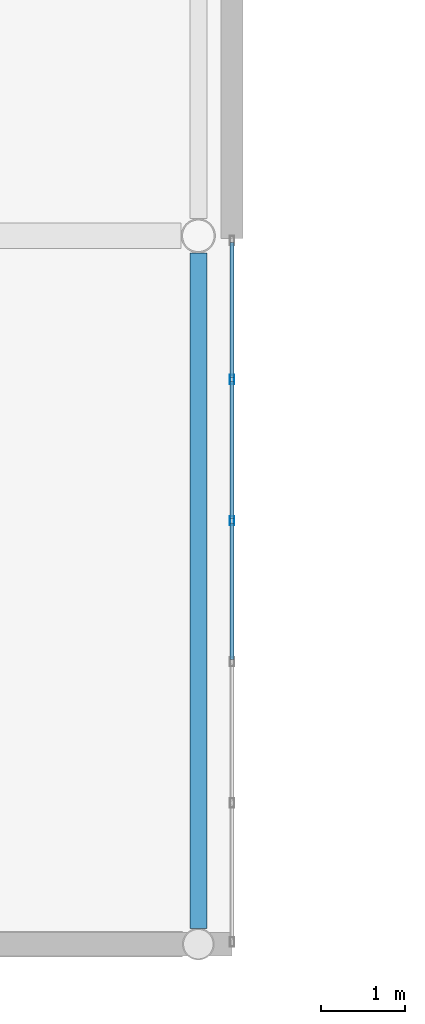
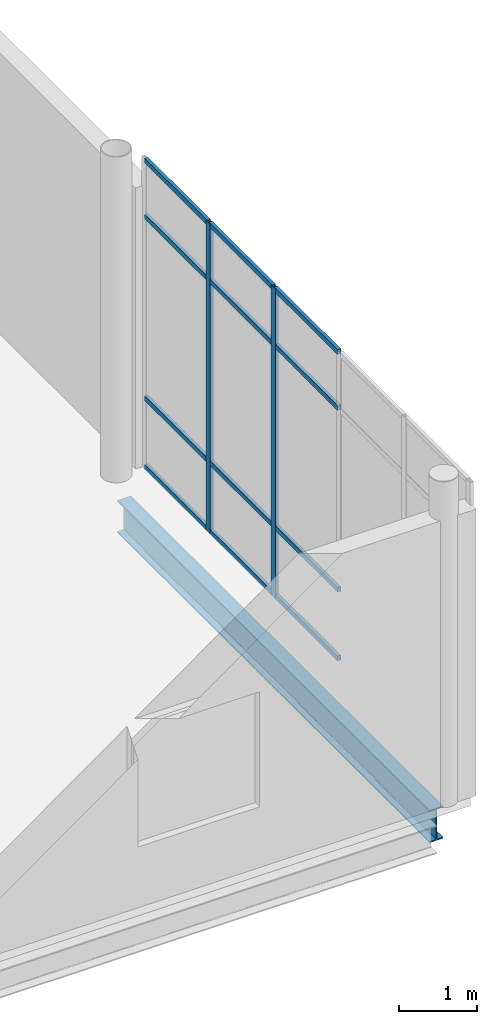
# One storey, part 41 of 104: 14 members, 1 beam, 1 element without a shape of its own.
"""IFC4 building model written with IfcOpenShell, lengths in metres."""

from ifc_helpers import new_model, si_unit, direction, frame, origin, origin_2d, place, context, subcontext, project, spatial, hollow_rectangle, i_section, extrude, material, layer, layer_set, material_profile, profile_set, type_object, element, aggregate, save


model = new_model("IFC4")

# Units and contexts
model_context = context("Model", 3, precision=1e-05, world=origin(), true_north=direction((0.0, 1.0)))
body_context = subcontext(model_context, "Body", "Model", "MODEL_VIEW")
ifc_project = project(units=[si_unit("LENGTHUNIT", "METRE"), si_unit("AREAUNIT", "SQUARE_METRE"), si_unit("VOLUMEUNIT", "CUBIC_METRE"), si_unit("PLANEANGLEUNIT", "RADIAN"), si_unit("MASSUNIT", "GRAM", prefix="KILO"), si_unit("THERMODYNAMICTEMPERATUREUNIT", "KELVIN")], contexts=[model_context])

# Site, building, storey
site_placement = place(None, origin())
site = spatial("IfcSite", under=ifc_project, at=site_placement, CompositionType="ELEMENT")
building_placement = place(site_placement, origin())
building = spatial("IfcBuilding", under=site, at=building_placement, Name="Lustrewick Department Store", CompositionType="ELEMENT")
storey_placement = place(building_placement, frame((0.0, 0.0, 11.39990234375)))
storey = spatial("IfcBuildingStorey", under=building, at=storey_placement, Name="L03", CompositionType="ELEMENT", Elevation=11.39990234375)

# Curtain wall, members
ifc_material_1 = material(Name="Thermally broken aluminium 6063-T5", Category="aluminium")
ifc_layer = layer(ifc_material_1, 0.110107421875, Name="Thermally broken aluminium 6063-T5")
ifc_layer_set = layer_set([ifc_layer], Name="Thermally broken aluminium 6063-T5")
curtain_wall_type = type_object("IfcCurtainWallType", Name="CW09", PredefinedType="NOTDEFINED", material=ifc_layer_set)
curtain_wall_placement = place(storey_placement, origin())
curtain_wall = element("IfcCurtainWall", 1, at=curtain_wall_placement, inside=storey, type_object=curtain_wall_type, Name="L03 V3 Curtain Wall CW09", PredefinedType="NOTDEFINED")
ifc_material_profile_1 = material_profile(ifc_material_1, hollow_rectangle(XDim=0.050048828125, YDim=0.110107421875, WallThickness=0.0029296875, at=origin_2d()), Name="ALU-M 50x110x3")
ifc_profile_set_1 = profile_set([ifc_material_profile_1], Name="Thermally broken aluminium 6063-T5")
member_type_1 = type_object("IfcMemberType", Name="CW09-M1", PredefinedType="MULLION", material=ifc_profile_set_1)
member_1_placement = place(storey_placement, frame((151.199951171875, 13.422119140625, 0.0), z_axis=(0.0, 0.0, 1.0), x_axis=(-1.0, 0.0, 0.0)))
member_1 = element("IfcMember", 2, at=member_1_placement, type_object=member_type_1, Name="CW09 mullion 4", PredefinedType="MULLION", context=body_context, shape_type="SweptSolid", body=[
    extrude(hollow_rectangle(XDim=0.050048828125, YDim=0.110107421875, WallThickness=0.0029296875, at=origin_2d()), origin(), (0.0, 0.0, 1.0), 4.84521484375),
])
member_2_placement = place(storey_placement, frame((151.199951171875, 15.095947265625, 0.0), z_axis=(0.0, 0.0, 1.0), x_axis=(-1.0, 0.0, 0.0)))
member_2 = element("IfcMember", 3, at=member_2_placement, type_object=member_type_1, Name="CW09 mullion 5", PredefinedType="MULLION", context=body_context, shape_type="SweptSolid", body=[
    extrude(hollow_rectangle(XDim=0.050048828125, YDim=0.110107421875, WallThickness=0.0029296875, at=origin_2d()), origin(), (0.0, 0.0, 1.0), 4.84521484375),
])
ifc_material_profile_2 = material_profile(ifc_material_1, hollow_rectangle(XDim=0.050048828125, YDim=0.074951171875, WallThickness=0.0029296875, at=origin_2d()), Name="ALU-T 50x75x3")
ifc_profile_set_2 = profile_set([ifc_material_profile_2], Name="Thermally broken aluminium 6063-T5")
member_type_2 = type_object("IfcMemberType", Name="CW09-T1", PredefinedType="USERDEFINED", material=ifc_profile_set_2)
member_3_placement = place(storey_placement, frame((151.199951171875, 11.77294921875, 0.025146484375), z_axis=(0.0, 1.0, 0.0), x_axis=(-1.0, 0.0, 0.0)))
member_3 = element("IfcMember", 4, at=member_3_placement, type_object=member_type_2, Name="CW09 transom 3.1", ObjectType="TRANSOM", PredefinedType="USERDEFINED", context=body_context, shape_type="SweptSolid", body=[
    extrude(hollow_rectangle(XDim=0.050048828125, YDim=0.074951171875, WallThickness=0.0029296875, at=origin_2d()), origin(), (0.0, 0.0, 1.0), 1.6240234375),
])
member_4_placement = place(storey_placement, frame((151.199951171875, 11.77294921875, 1.10009765625), z_axis=(0.0, 1.0, 0.0), x_axis=(-1.0, 0.0, 0.0)))
member_4 = element("IfcMember", 5, at=member_4_placement, type_object=member_type_2, Name="CW09 transom 3.2", ObjectType="TRANSOM", PredefinedType="USERDEFINED", context=body_context, shape_type="SweptSolid", body=[
    extrude(hollow_rectangle(XDim=0.050048828125, YDim=0.074951171875, WallThickness=0.0029296875, at=origin_2d()), origin(), (0.0, 0.0, 1.0), 1.6240234375),
])
member_5_placement = place(storey_placement, frame((151.199951171875, 11.77294921875, 3.945068359375), z_axis=(0.0, 1.0, 0.0), x_axis=(-1.0, 0.0, 0.0)))
member_5 = element("IfcMember", 6, at=member_5_placement, type_object=member_type_2, Name="CW09 transom 3.3", ObjectType="TRANSOM", PredefinedType="USERDEFINED", context=body_context, shape_type="SweptSolid", body=[
    extrude(hollow_rectangle(XDim=0.050048828125, YDim=0.074951171875, WallThickness=0.0029296875, at=origin_2d()), origin(), (0.0, 0.0, 1.0), 1.6240234375),
])
member_6_placement = place(storey_placement, frame((151.199951171875, 11.77294921875, 4.820068359375), z_axis=(0.0, 1.0, 0.0), x_axis=(-1.0, 0.0, 0.0)))
member_6 = element("IfcMember", 7, at=member_6_placement, type_object=member_type_2, Name="CW09 transom 3.4", ObjectType="TRANSOM", PredefinedType="USERDEFINED", context=body_context, shape_type="SweptSolid", body=[
    extrude(hollow_rectangle(XDim=0.050048828125, YDim=0.074951171875, WallThickness=0.0029296875, at=origin_2d()), origin(), (0.0, 0.0, 1.0), 1.6240234375),
])
member_7_placement = place(storey_placement, frame((151.199951171875, 13.447021484375, 0.025146484375), z_axis=(0.0, 1.0, 0.0), x_axis=(-1.0, 0.0, 0.0)))
member_7 = element("IfcMember", 8, at=member_7_placement, type_object=member_type_2, Name="CW09 transom 4.1", ObjectType="TRANSOM", PredefinedType="USERDEFINED", context=body_context, shape_type="SweptSolid", body=[
    extrude(hollow_rectangle(XDim=0.050048828125, YDim=0.074951171875, WallThickness=0.0029296875, at=origin_2d()), origin(), (0.0, 0.0, 1.0), 1.6240234375),
])
member_8_placement = place(storey_placement, frame((151.199951171875, 13.447021484375, 1.10009765625), z_axis=(0.0, 1.0, 0.0), x_axis=(-1.0, 0.0, 0.0)))
member_8 = element("IfcMember", 9, at=member_8_placement, type_object=member_type_2, Name="CW09 transom 4.2", ObjectType="TRANSOM", PredefinedType="USERDEFINED", context=body_context, shape_type="SweptSolid", body=[
    extrude(hollow_rectangle(XDim=0.050048828125, YDim=0.074951171875, WallThickness=0.0029296875, at=origin_2d()), origin(), (0.0, 0.0, 1.0), 1.6240234375),
])
member_9_placement = place(storey_placement, frame((151.199951171875, 13.447021484375, 3.945068359375), z_axis=(0.0, 1.0, 0.0), x_axis=(-1.0, 0.0, 0.0)))
member_9 = element("IfcMember", 10, at=member_9_placement, type_object=member_type_2, Name="CW09 transom 4.3", ObjectType="TRANSOM", PredefinedType="USERDEFINED", context=body_context, shape_type="SweptSolid", body=[
    extrude(hollow_rectangle(XDim=0.050048828125, YDim=0.074951171875, WallThickness=0.0029296875, at=origin_2d()), origin(), (0.0, 0.0, 1.0), 1.6240234375),
])
member_10_placement = place(storey_placement, frame((151.199951171875, 13.447021484375, 4.820068359375), z_axis=(0.0, 1.0, 0.0), x_axis=(-1.0, 0.0, 0.0)))
member_10 = element("IfcMember", 11, at=member_10_placement, type_object=member_type_2, Name="CW09 transom 4.4", ObjectType="TRANSOM", PredefinedType="USERDEFINED", context=body_context, shape_type="SweptSolid", body=[
    extrude(hollow_rectangle(XDim=0.050048828125, YDim=0.074951171875, WallThickness=0.0029296875, at=origin_2d()), origin(), (0.0, 0.0, 1.0), 1.6240234375),
])
member_11_placement = place(storey_placement, frame((151.199951171875, 15.12109375, 0.025146484375), z_axis=(0.0, 1.0, 0.0), x_axis=(-1.0, 0.0, 0.0)))
member_11 = element("IfcMember", 12, at=member_11_placement, type_object=member_type_2, Name="CW09 transom 5.1", ObjectType="TRANSOM", PredefinedType="USERDEFINED", context=body_context, shape_type="SweptSolid", body=[
    extrude(hollow_rectangle(XDim=0.050048828125, YDim=0.074951171875, WallThickness=0.0029296875, at=origin_2d()), origin(), (0.0, 0.0, 1.0), 1.598876953125),
])
member_12_placement = place(storey_placement, frame((151.199951171875, 15.12109375, 1.10009765625), z_axis=(0.0, 1.0, 0.0), x_axis=(-1.0, 0.0, 0.0)))
member_12 = element("IfcMember", 13, at=member_12_placement, type_object=member_type_2, Name="CW09 transom 5.2", ObjectType="TRANSOM", PredefinedType="USERDEFINED", context=body_context, shape_type="SweptSolid", body=[
    extrude(hollow_rectangle(XDim=0.050048828125, YDim=0.074951171875, WallThickness=0.0029296875, at=origin_2d()), origin(), (0.0, 0.0, 1.0), 1.598876953125),
])
member_13_placement = place(storey_placement, frame((151.199951171875, 15.12109375, 3.945068359375), z_axis=(0.0, 1.0, 0.0), x_axis=(-1.0, 0.0, 0.0)))
member_13 = element("IfcMember", 14, at=member_13_placement, type_object=member_type_2, Name="CW09 transom 5.3", ObjectType="TRANSOM", PredefinedType="USERDEFINED", context=body_context, shape_type="SweptSolid", body=[
    extrude(hollow_rectangle(XDim=0.050048828125, YDim=0.074951171875, WallThickness=0.0029296875, at=origin_2d()), origin(), (0.0, 0.0, 1.0), 1.598876953125),
])
member_14_placement = place(storey_placement, frame((151.199951171875, 15.12109375, 4.820068359375), z_axis=(0.0, 1.0, 0.0), x_axis=(-1.0, 0.0, 0.0)))
member_14 = element("IfcMember", 15, at=member_14_placement, type_object=member_type_2, Name="CW09 transom 5.4", ObjectType="TRANSOM", PredefinedType="USERDEFINED", context=body_context, shape_type="SweptSolid", body=[
    extrude(hollow_rectangle(XDim=0.050048828125, YDim=0.074951171875, WallThickness=0.0029296875, at=origin_2d()), origin(), (0.0, 0.0, 1.0), 1.598876953125),
])
aggregate(curtain_wall, [member_1, member_2, member_3, member_4, member_5, member_6, member_7, member_8, member_9, member_10, member_11, member_12, member_13, member_14])

# Beam
ifc_material_2 = material(Name="Structural steel Q355B", Category="steel")
ifc_material_profile_3 = material_profile(ifc_material_2, i_section(OverallWidth=0.200927734375, OverallDepth=0.506103515625, WebThickness=0.010986328125, FlangeThickness=0.01904296875, FilletRadius=0.01611328125, at=origin_2d()), Name="HN 506x201x11x19")
ifc_profile_set_3 = profile_set([ifc_material_profile_3], Name="Structural steel Q355B")
beam_type = type_object("IfcBeamType", Name="SP01", PredefinedType="SPANDREL", material=ifc_profile_set_3)
beam_placement = place(storey_placement, frame((150.800048828125, 8.58837890625, -0.5078125), z_axis=(0.0, 1.0, 0.0), x_axis=(-1.0, 0.0, 0.0)))
element("IfcBeam", 16, at=beam_placement, inside=storey, type_object=beam_type, Name="L03 V3 Girder SP01", PredefinedType="SPANDREL", context=body_context, shape_type="SweptSolid", body=[
    extrude(i_section(OverallWidth=0.200927734375, OverallDepth=0.506103515625, WebThickness=0.010986328125, FlangeThickness=0.01904296875, FilletRadius=0.01611328125, at=origin_2d()), origin(), (0.0, 0.0, 1.0), 8.008544921875),
])

save(model, "model.ifc")
